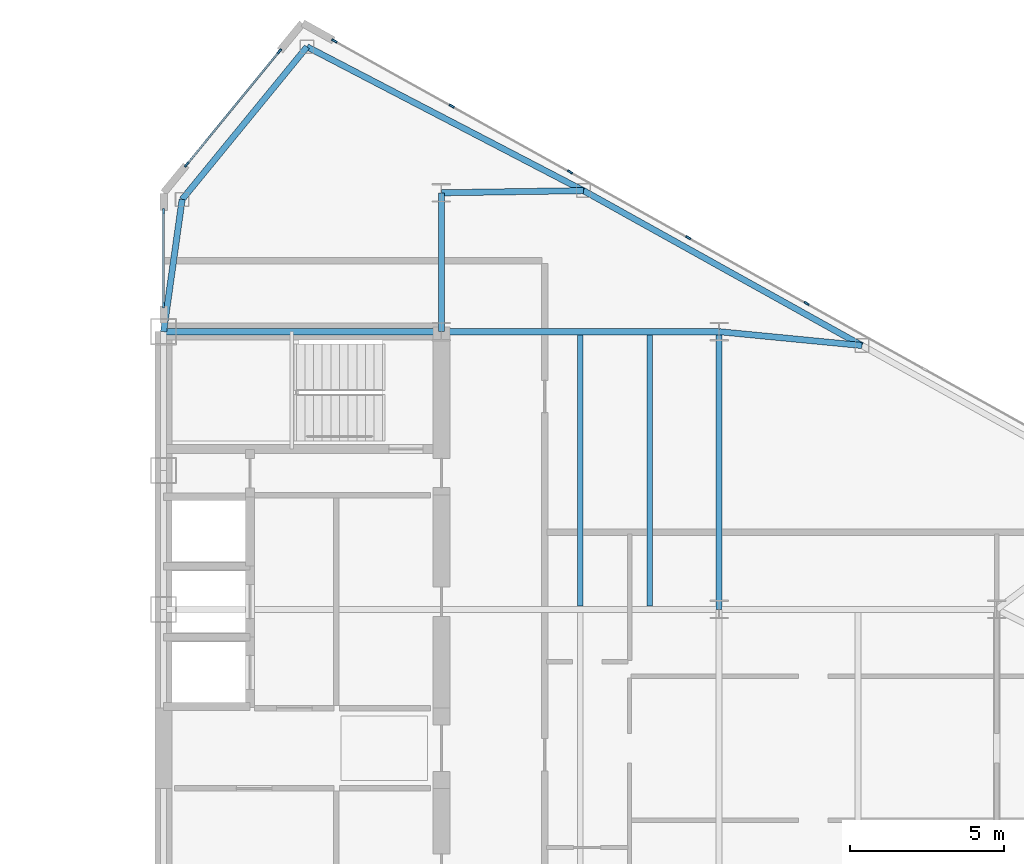
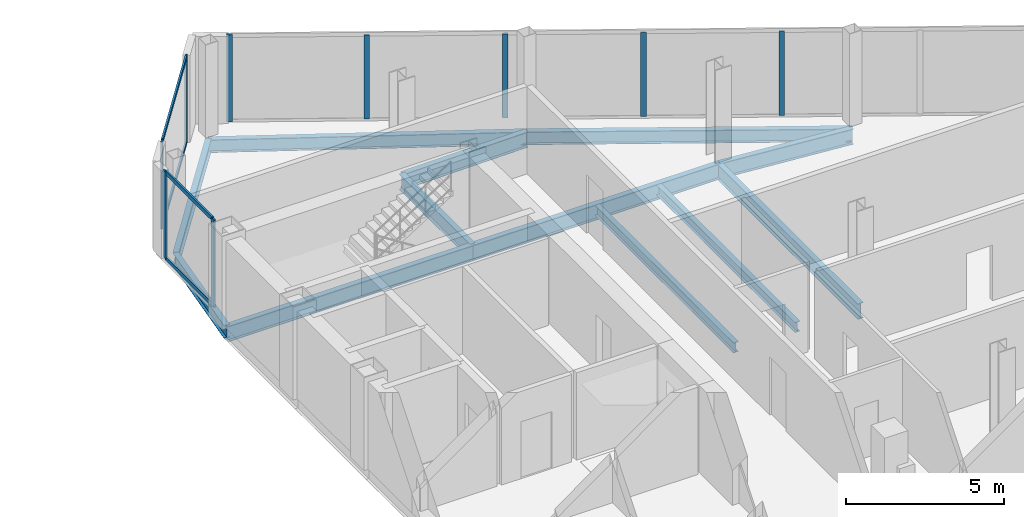
# One storey, part 15 of 26: 13 members, 12 beams, 3 elements without a shape of their own.
"""IFC4 building model written with IfcOpenShell, lengths in metres."""

from ifc_helpers import new_model, si_unit, direction, frame, origin, origin_2d, place, context, subcontext, project, spatial, rectangle, i_section, extrude, source, transform, mapped, material, layer, layer_set, material_profile, profile_set, type_object, type_shapes, element, aggregate, save


model = new_model("IFC4")

# Units and contexts
model_context = context("Model", 3, precision=1e-05, world=origin(), true_north=direction((0.0, 1.0)))
body_context = subcontext(model_context, "Body", "Model", "MODEL_VIEW")
ifc_project = project(units=[si_unit("LENGTHUNIT", "METRE"), si_unit("AREAUNIT", "SQUARE_METRE"), si_unit("VOLUMEUNIT", "CUBIC_METRE"), si_unit("PLANEANGLEUNIT", "RADIAN"), si_unit("MASSUNIT", "GRAM", prefix="KILO")], contexts=[model_context])

# Site, building, storey
site_placement = place(None, origin())
site = spatial("IfcSite", under=ifc_project, at=site_placement, CompositionType="ELEMENT")
building_placement = place(site_placement, origin())
building = spatial("IfcBuilding", under=site, at=building_placement, Name="Seokmaru Belvedere", CompositionType="ELEMENT")
storey_placement = place(building_placement, frame((0.0, 0.0, 174.300048828125)))
storey = spatial("IfcBuildingStorey", under=building, at=storey_placement, Name="L46", CompositionType="ELEMENT", Elevation=174.300048828125)

# Beams
ifc_material_1 = material(Name="Steel SM355 (355 MPa)", Category="steel")
ifc_material_profile_1 = material_profile(ifc_material_1, i_section(OverallWidth=0.199951171875, OverallDepth=0.60009765625, WebThickness=0.010986328125, FlangeThickness=0.01708984375, at=origin_2d()), Name="H-600x200x11x17")
ifc_profile_set_1 = profile_set([ifc_material_profile_1], Name="Steel SM355 (355 MPa)")
beam_type_1 = type_object("IfcBeamType", Name="Primary Floor Girder H-600", PredefinedType="BEAM", material=ifc_profile_set_1)
shared_shape_1 = source(origin(), body_context, "Body", "SweptSolid", [
    extrude(i_section(OverallWidth=0.199951171875, OverallDepth=0.60009765625, WebThickness=0.010986328125, FlangeThickness=0.01708984375, at=origin_2d()), origin(), (0.0, 0.0, 1.0), 9.0),
])
for number, where, z_axis, x_axis, name in (
    (1, (45.5, 4.5, -0.52001953125), (0.0, 1.0, 0.0), (-1.0, 0.0, 0.0), "L46 E Interior Grid Girder 3"),
    (2, (27.5, 13.5, -0.52001953125), (1.0, 0.0, 0.0), (0.0, 1.0, 0.0), "L46 E Core Tie Girder 4"),
    (3, (36.5, 13.5, -0.52001953125), (1.0, 0.0, 0.0), (0.0, 1.0, 0.0), "L46 E Wing Primary Girder 4"),
):
    element("IfcBeam", number, at=place(storey_placement, frame(where, z_axis=z_axis, x_axis=x_axis)), inside=storey, type_object=beam_type_1, Name=name, PredefinedType="BEAM", context=body_context, shape_type="MappedRepresentation", body=[
        mapped(shared_shape_1, transform((0.0, 0.0, 0.0), scale=1.0)),
    ])
ifc_material_profile_2 = material_profile(ifc_material_1, i_section(OverallWidth=0.18505859375, OverallDepth=0.389892578125, WebThickness=0.008056640625, FlangeThickness=0.011962890625, at=origin_2d()), Name="H-390x185x8x12")
ifc_profile_set_2 = profile_set([ifc_material_profile_2], Name="Steel SM355 (355 MPa)")
beam_type_2 = type_object("IfcBeamType", Name="Secondary Floor Joist H-350", PredefinedType="JOIST", material=ifc_profile_set_2)
shared_shape_2 = source(origin(), body_context, "Body", "SweptSolid", [
    extrude(i_section(OverallWidth=0.18505859375, OverallDepth=0.389892578125, WebThickness=0.008056640625, FlangeThickness=0.011962890625, at=origin_2d()), origin(), (0.0, 0.0, 1.0), 8.7900390625),
])
type_shapes(beam_type_2, [shared_shape_2])
for number, where, z_axis, x_axis, name in (
    (4, (43.25, 4.60498046875, -0.4150390625), (0.0, 1.0, 0.0), (-1.0, 0.0, 0.0), "L46 E Wing Inner Secondary Joist 2"),
    (5, (41.0, 4.60498046875, -0.4150390625), (0.0, 1.0, 0.0), (-1.0, 0.0, 0.0), "L46 E Secondary Floor Joist 3"),
):
    element("IfcBeam", number, at=place(storey_placement, frame(where, z_axis=z_axis, x_axis=x_axis)), inside=storey, type_object=beam_type_2, Name=name, PredefinedType="JOIST", context=body_context, shape_type="MappedRepresentation", body=[
        mapped(shared_shape_2, transform((0.0, 0.0, 0.0), scale=1.0)),
    ])
shared_shape_3 = source(origin(), body_context, "Body", "SweptSolid", [
    extrude(i_section(OverallWidth=0.199951171875, OverallDepth=0.60009765625, WebThickness=0.010986328125, FlangeThickness=0.01708984375, at=origin_2d()), origin(), (0.0, 0.0, 1.0), 4.5),
])
beam_1_placement = place(storey_placement, frame((36.5, 13.5, -0.52001953125), z_axis=(0.0, 1.0, 0.0), x_axis=(-1.0, 0.0, 0.0)))
element("IfcBeam", 6, at=beam_1_placement, inside=storey, type_object=beam_type_1, Name="L46 E Core Shoulder Girder N", PredefinedType="BEAM", context=body_context, shape_type="MappedRepresentation", body=[
    mapped(shared_shape_3, transform((0.0, 0.0, 0.0), scale=1.0)),
])
ifc_material_profile_3 = material_profile(ifc_material_1, i_section(OverallWidth=0.199951171875, OverallDepth=0.5, WebThickness=0.010009765625, FlangeThickness=0.01611328125, at=origin_2d()), Name="H-500x200x10x16")
ifc_profile_set_3 = profile_set([ifc_material_profile_3], Name="Steel SM355 (355 MPa)")
beam_type_3 = type_object("IfcBeamType", Name="Perimeter Spandrel Beam H-500", PredefinedType="SPANDREL", material=ifc_profile_set_3)
shared_shape_4 = source(origin(), body_context, "Body", "SweptSolid", [
    extrude(i_section(OverallWidth=0.199951171875, OverallDepth=0.5, WebThickness=0.010009765625, FlangeThickness=0.01611328125, at=origin_2d()), origin(), (0.0, 0.0, 1.0), 10.09716796875),
])
beam_2_placement = place(storey_placement, frame((32.146728515625, 22.731689453125, -0.469970703125), z_axis=(0.887085728914, -0.461604711369, 0.0), x_axis=(0.461604711369, 0.887085728914, 0.0)))
element("IfcBeam", 7, at=beam_2_placement, inside=storey, type_object=beam_type_3, Name="L46 E Faceted Flank Spandrel N-1", PredefinedType="SPANDREL", context=body_context, shape_type="MappedRepresentation", body=[
    mapped(shared_shape_4, transform((0.0, 0.0, 0.0), scale=1.0)),
])
shared_shape_5 = source(origin(), body_context, "Body", "SweptSolid", [
    extrude(i_section(OverallWidth=0.199951171875, OverallDepth=0.5, WebThickness=0.010009765625, FlangeThickness=0.01611328125, at=origin_2d()), origin(), (0.0, 0.0, 1.0), 10.327392578125),
])
beam_3_placement = place(storey_placement, frame((41.103759765625, 18.07080078125, -0.469970703125), z_axis=(0.873924120588, -0.486062374037, 0.0), x_axis=(0.486062374037, 0.873924120588, 0.0)))
element("IfcBeam", 8, at=beam_3_placement, inside=storey, type_object=beam_type_3, Name="L46 E Faceted Flank Spandrel N-2", PredefinedType="SPANDREL", context=body_context, shape_type="MappedRepresentation", body=[
    mapped(shared_shape_5, transform((0.0, 0.0, 0.0), scale=1.0)),
])
shared_shape_6 = source(origin(), body_context, "Body", "SweptSolid", [
    extrude(i_section(OverallWidth=0.199951171875, OverallDepth=0.5, WebThickness=0.010009765625, FlangeThickness=0.01611328125, at=origin_2d()), origin(), (0.0, 0.0, 1.0), 6.390380859375),
])
beam_4_placement = place(storey_placement, frame((32.146728515625, 22.731689453125, -0.469970703125), z_axis=(-0.63324403161, -0.7739521926, 0.0), x_axis=(0.7739521926, -0.63324403161, 0.0)))
element("IfcBeam", 9, at=beam_4_placement, inside=storey, type_object=beam_type_3, Name="L46 E Shoulder Chamfer Spandrel N", PredefinedType="SPANDREL", context=body_context, shape_type="MappedRepresentation", body=[
    mapped(shared_shape_6, transform((0.0, 0.0, 0.0), scale=1.0)),
])
shared_shape_7 = source(origin(), body_context, "Body", "SweptSolid", [
    extrude(i_section(OverallWidth=0.199951171875, OverallDepth=0.5, WebThickness=0.010009765625, FlangeThickness=0.01611328125, at=origin_2d()), origin(), (0.0, 0.0, 1.0), 4.32763671875),
])
type_shapes(beam_type_3, [shared_shape_4, shared_shape_5, shared_shape_6, shared_shape_7])
beam_5_placement = place(storey_placement, frame((28.10009765625, 17.785888671875, -0.469970703125), z_axis=(-0.138664443237, -0.990339422714, 0.0), x_axis=(0.990339422714, -0.138664443237, 0.0)))
element("IfcBeam", 10, at=beam_5_placement, inside=storey, type_object=beam_type_3, Name="L46 E Shoulder Spine Spandrel N", PredefinedType="SPANDREL", context=body_context, shape_type="MappedRepresentation", body=[
    mapped(shared_shape_7, transform((0.0, 0.0, 0.0), scale=1.0)),
])
shared_shape_8 = source(origin(), body_context, "Body", "SweptSolid", [
    extrude(i_section(OverallWidth=0.199951171875, OverallDepth=0.60009765625, WebThickness=0.010986328125, FlangeThickness=0.01708984375, at=origin_2d()), origin(), (0.0, 0.0, 1.0), 4.604248046875),
])
beam_6_placement = place(storey_placement, frame((41.103759765625, 18.07080078125, -0.52001953125), z_axis=(-0.999881765622, -0.01537708607, 0.0), x_axis=(0.01537708607, -0.999881765622, 0.0)))
element("IfcBeam", 11, at=beam_6_placement, inside=storey, type_object=beam_type_1, Name="L46 E Flank Radial Floor Girder N-1", PredefinedType="BEAM", context=body_context, shape_type="MappedRepresentation", body=[
    mapped(shared_shape_8, transform((0.0, 0.0, 0.0), scale=1.0)),
])
shared_shape_9 = source(origin(), body_context, "Body", "SweptSolid", [
    extrude(i_section(OverallWidth=0.199951171875, OverallDepth=0.60009765625, WebThickness=0.010986328125, FlangeThickness=0.01708984375, at=origin_2d()), origin(), (0.0, 0.0, 1.0), 4.65087890625),
])
type_shapes(beam_type_1, [shared_shape_1, shared_shape_3, shared_shape_8, shared_shape_9])
beam_7_placement = place(storey_placement, frame((50.129150390625, 13.051025390625, -0.52001953125), z_axis=(-0.995329534874, 0.09653557379, 0.0), x_axis=(-0.09653557379, -0.995329534874, 0.0)))
element("IfcBeam", 12, at=beam_7_placement, inside=storey, type_object=beam_type_1, Name="L46 E Flank Radial Floor Girder N-2", PredefinedType="BEAM", context=body_context, shape_type="MappedRepresentation", body=[
    mapped(shared_shape_9, transform((0.0, 0.0, 0.0), scale=1.0)),
])

# Curtain wall, members
ifc_material_2 = material(Name="Bronze Triple Insulating Glass", Category="glass")
ifc_layer = layer(ifc_material_2, 0.179931640625)
ifc_layer_set = layer_set([ifc_layer], Name="Bronze Triple Insulating Glass")
curtain_wall_type = type_object("IfcCurtainWallType", Name="High-Rise Wind-Corner Curtain Wall System CW-5", PredefinedType="NOTDEFINED", material=ifc_layer_set)
curtain_wall_1_placement = place(storey_placement, origin())
curtain_wall_1 = element("IfcCurtainWall", 13, at=curtain_wall_1_placement, inside=storey, type_object=curtain_wall_type, Name="L46 Curtain Wall ESP_2", PredefinedType="NOTDEFINED")
ifc_material_3 = material(Name="Anodised Bronze Aluminium", Category="aluminium")
ifc_material_profile_4 = material_profile(ifc_material_3, rectangle(XDim=0.06494140625, YDim=0.14990234375, at=origin_2d()), Name="CW-T-65x150")
ifc_profile_set_4 = profile_set([ifc_material_profile_4], Name="Anodised Bronze Aluminium")
member_type_1 = type_object("IfcMemberType", Name="Bronze Unitised Transom 65x150", PredefinedType="USERDEFINED", material=ifc_profile_set_4)
shared_shape_10 = source(origin(), body_context, "Body", "SweptSolid", [
    extrude(rectangle(XDim=0.06494140625, YDim=0.14990234375, at=origin_2d()), origin(), (0.0, 0.0, 1.0), 2.969970703125),
])
member_1_placement = place(storey_placement, frame((27.5, 17.364990234375, 0.032470703125), z_axis=(0.0, -1.0, 0.0), x_axis=(1.0, 0.0, 0.0)))
member_1 = element("IfcMember", 14, at=member_1_placement, type_object=member_type_1, Name="CW:L46:ESP_2 Continuous Transom 1", ObjectType="TRANSOM", PredefinedType="USERDEFINED", context=body_context, shape_type="MappedRepresentation", body=[
    mapped(shared_shape_10, transform((0.0, 0.0, 0.0), scale=1.0)),
])
member_2_placement = place(storey_placement, frame((27.5, 17.364990234375, 3.347412109375), z_axis=(0.0, -1.0, 0.0), x_axis=(1.0, 0.0, 0.0)))
member_2 = element("IfcMember", 15, at=member_2_placement, type_object=member_type_1, Name="CW:L46:ESP_2 Continuous Transom 2", ObjectType="TRANSOM", PredefinedType="USERDEFINED", context=body_context, shape_type="MappedRepresentation", body=[
    mapped(shared_shape_10, transform((0.0, 0.0, 0.0), scale=1.0)),
])

curtain_wall_2_placement = place(storey_placement, origin())
curtain_wall_2 = element("IfcCurtainWall", 16, at=curtain_wall_2_placement, inside=storey, type_object=curtain_wall_type, Name="L46 Curtain Wall EF4", PredefinedType="NOTDEFINED")
shared_shape_11 = source(origin(), body_context, "Body", "SweptSolid", [
    extrude(rectangle(XDim=0.06494140625, YDim=0.14990234375, at=origin_2d()), origin(), (0.0, 0.0, 1.0), 4.67626953125),
])
type_shapes(member_type_1, [shared_shape_10, shared_shape_11])
member_3_placement = place(storey_placement, frame((31.230712890625, 22.5595703125, 0.032470703125), z_axis=(-0.633277591216, -0.773924733074, 0.0), x_axis=(0.773924733074, -0.633277591216, 0.0)))
member_3 = element("IfcMember", 17, at=member_3_placement, type_object=member_type_1, Name="CW:L46:EF4 Continuous Transom 1", ObjectType="TRANSOM", PredefinedType="USERDEFINED", context=body_context, shape_type="MappedRepresentation", body=[
    mapped(shared_shape_11, transform((0.0, 0.0, 0.0), scale=1.0)),
])
member_4_placement = place(storey_placement, frame((31.230712890625, 22.5595703125, 3.347412109375), z_axis=(-0.633277591216, -0.773924733074, 0.0), x_axis=(0.773924733074, -0.633277591216, 0.0)))
member_4 = element("IfcMember", 18, at=member_4_placement, type_object=member_type_1, Name="CW:L46:EF4 Continuous Transom 2", ObjectType="TRANSOM", PredefinedType="USERDEFINED", context=body_context, shape_type="MappedRepresentation", body=[
    mapped(shared_shape_11, transform((0.0, 0.0, 0.0), scale=1.0)),
])

# Curtain wall, member
curtain_wall_3_placement = place(storey_placement, origin())
curtain_wall_3 = element("IfcCurtainWall", 19, at=curtain_wall_3_placement, inside=storey, type_object=curtain_wall_type, Name="L46 Curtain Wall EF3", PredefinedType="NOTDEFINED")
ifc_material_profile_5 = material_profile(ifc_material_3, rectangle(XDim=0.06494140625, YDim=0.179931640625, at=origin_2d()), Name="CW-M-65x180")
ifc_profile_set_5 = profile_set([ifc_material_profile_5], Name="Anodised Bronze Aluminium")
member_type_2 = type_object("IfcMemberType", Name="Bronze Unitised Mullion 65x180", PredefinedType="MULLION", material=ifc_profile_set_5)
shared_shape_12 = source(origin(), body_context, "Body", "SweptSolid", [
    extrude(rectangle(XDim=0.06494140625, YDim=0.179931640625, at=origin_2d()), origin(), (0.0, 0.0, 1.0), 3.3798828125),
])
member_5_placement = place(storey_placement, frame((33.033447265625, 22.92529296875, 0.0), z_axis=(0.0, 0.0, 1.0), x_axis=(-0.486047125147, -0.873932601598, 0.0)))
member_5 = element("IfcMember", 20, at=member_5_placement, type_object=member_type_2, Name="CW:L46:EF3 Mullion 10", PredefinedType="MULLION", context=body_context, shape_type="MappedRepresentation", body=[
    mapped(shared_shape_12, transform((0.0, 0.0, 0.0), scale=1.0)),
])

# Member
member_6_placement = place(storey_placement, frame((31.251220703125, 22.584716796875, 0.0), z_axis=(0.0, 0.0, 1.0), x_axis=(0.773944112379, -0.633253907144, 0.0)))
member_6 = element("IfcMember", 21, at=member_6_placement, type_object=member_type_2, Name="CW:L46:EF4 Mullion 1", PredefinedType="MULLION", context=body_context, shape_type="MappedRepresentation", body=[
    mapped(shared_shape_12, transform((0.0, 0.0, 0.0), scale=1.0)),
])

member_7_placement = place(storey_placement, frame((28.248779296875, 18.915283203125, 0.0), z_axis=(0.0, 0.0, 1.0), x_axis=(0.773944112379, -0.633253907144, 0.0)))
member_7 = element("IfcMember", 22, at=member_7_placement, type_object=member_type_2, Name="CW:L46:EF4 Mullion 2", PredefinedType="MULLION", context=body_context, shape_type="MappedRepresentation", body=[
    mapped(shared_shape_12, transform((0.0, 0.0, 0.0), scale=1.0)),
])

aggregate(curtain_wall_2, [member_6, member_7, member_3, member_4])

member_8_placement = place(storey_placement, frame((27.5, 17.3974609375, 0.0), z_axis=(0.0, 0.0, 1.0), x_axis=(1.0, 0.0, 0.0)))
member_8 = element("IfcMember", 23, at=member_8_placement, type_object=member_type_2, Name="CW:L46:ESP_2 Mullion 1", PredefinedType="MULLION", context=body_context, shape_type="MappedRepresentation", body=[
    mapped(shared_shape_12, transform((0.0, 0.0, 0.0), scale=1.0)),
])

member_9_placement = place(storey_placement, frame((27.5, 14.362548828125, 0.0), z_axis=(0.0, 0.0, 1.0), x_axis=(1.0, 0.0, 0.0)))
member_9 = element("IfcMember", 24, at=member_9_placement, type_object=member_type_2, Name="CW:L46:ESP_2 Mullion 2", PredefinedType="MULLION", context=body_context, shape_type="MappedRepresentation", body=[
    mapped(shared_shape_12, transform((0.0, 0.0, 0.0), scale=1.0)),
])

aggregate(curtain_wall_1, [member_8, member_9, member_1, member_2])

shared_shape_13 = source(origin(), body_context, "Body", "SweptSolid", [
    extrude(rectangle(XDim=0.06494140625, YDim=0.179931640625, at=origin_2d()), origin(), (0.0, 0.0, 1.0), 3.25),
])
type_shapes(member_type_2, [shared_shape_12, shared_shape_13])
member_10_placement = place(storey_placement, frame((48.333984375, 14.415771484375, 0.06494140625), z_axis=(0.0, 0.0, 1.0), x_axis=(-0.486047125147, -0.873932601598, 0.0)))
member_10 = element("IfcMember", 25, at=member_10_placement, type_object=member_type_2, Name="CW:L46:EF3 Mullion 6", PredefinedType="MULLION", context=body_context, shape_type="MappedRepresentation", body=[
    mapped(shared_shape_13, transform((0.0, 0.0, 0.0), scale=1.0)),
])

member_11_placement = place(storey_placement, frame((44.501708984375, 16.547119140625, 0.06494140625), z_axis=(0.0, 0.0, 1.0), x_axis=(-0.486047125147, -0.873932601598, 0.0)))
member_11 = element("IfcMember", 26, at=member_11_placement, type_object=member_type_2, Name="CW:L46:EF3 Mullion 7", PredefinedType="MULLION", context=body_context, shape_type="MappedRepresentation", body=[
    mapped(shared_shape_13, transform((0.0, 0.0, 0.0), scale=1.0)),
])

member_12_placement = place(storey_placement, frame((40.66943359375, 18.67822265625, 0.06494140625), z_axis=(0.0, 0.0, 1.0), x_axis=(-0.486047125147, -0.873932601598, 0.0)))
member_12 = element("IfcMember", 27, at=member_12_placement, type_object=member_type_2, Name="CW:L46:EF3 Mullion 8", PredefinedType="MULLION", context=body_context, shape_type="MappedRepresentation", body=[
    mapped(shared_shape_13, transform((0.0, 0.0, 0.0), scale=1.0)),
])

member_13_placement = place(storey_placement, frame((36.837158203125, 20.809814453125, 0.06494140625), z_axis=(0.0, 0.0, 1.0), x_axis=(-0.486047125147, -0.873932601598, 0.0)))
member_13 = element("IfcMember", 28, at=member_13_placement, type_object=member_type_2, Name="CW:L46:EF3 Mullion 9", PredefinedType="MULLION", context=body_context, shape_type="MappedRepresentation", body=[
    mapped(shared_shape_13, transform((0.0, 0.0, 0.0), scale=1.0)),
])

aggregate(curtain_wall_3, [member_10, member_11, member_12, member_13, member_5])

save(model, "model.ifc")
